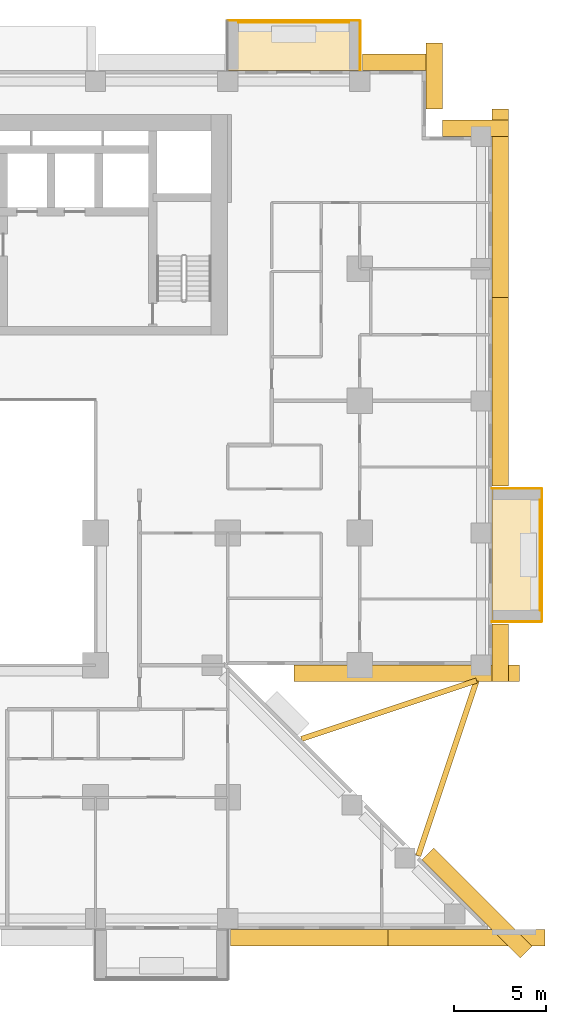
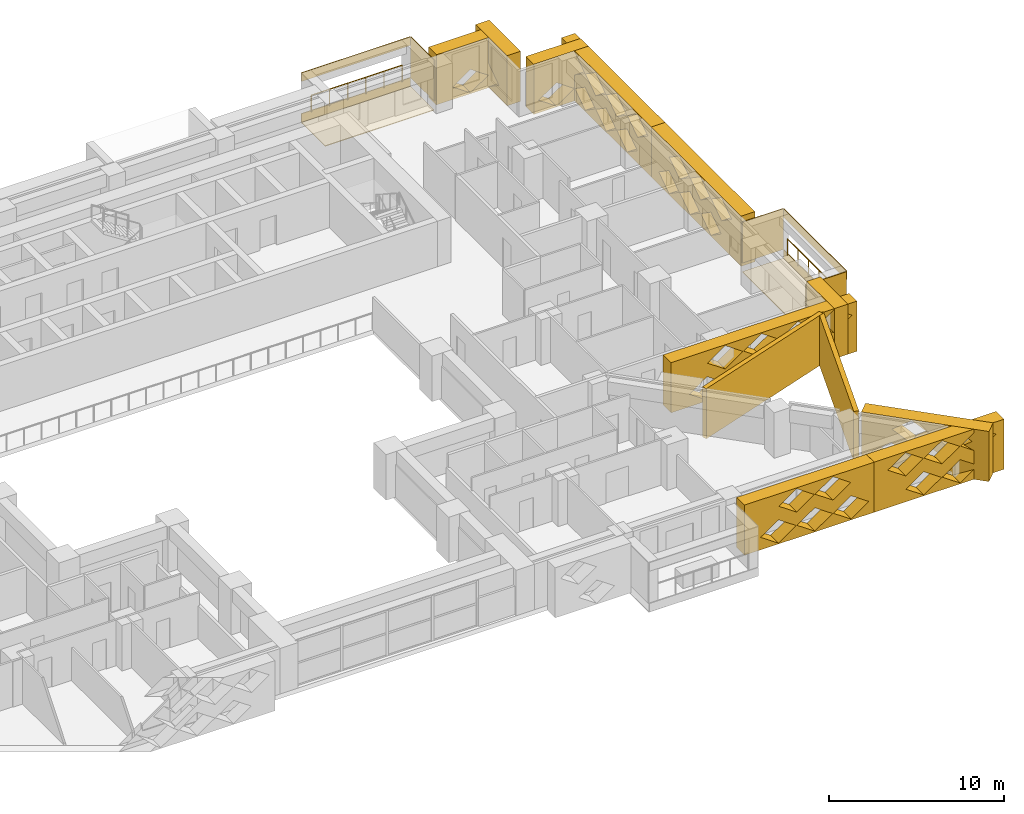
# One storey, part 16 of 16: 21 coverings, 2 railings.
"""IFC4 building model written with IfcOpenShell, lengths in metres."""

from ifc_helpers import new_model, si_unit, direction, frame, origin, origin_2d, place, context, subcontext, project, spatial, polyline, circle, outline, extrude, material, layer, layer_set, type_object, element, save


model = new_model("IFC4")

# Units and contexts
model_context = context("Model", 3, precision=1e-05, world=origin(), true_north=direction((0.0, 1.0)))
body_context = subcontext(model_context, "Body", "Model", "MODEL_VIEW")
ifc_project = project(units=[si_unit("LENGTHUNIT", "METRE"), si_unit("AREAUNIT", "SQUARE_METRE"), si_unit("VOLUMEUNIT", "CUBIC_METRE"), si_unit("PLANEANGLEUNIT", "RADIAN"), si_unit("MASSUNIT", "GRAM", prefix="KILO")], contexts=[model_context])

# Site, building, storey
site_placement = place(None, origin())
site = spatial("IfcSite", under=ifc_project, at=site_placement, CompositionType="ELEMENT")
building_placement = place(site_placement, origin())
building = spatial("IfcBuilding", under=site, at=building_placement, Name="Saffron Iwan Residences", CompositionType="ELEMENT")
storey_placement = place(building_placement, frame((0.0, 0.0, 44.5)))
storey = spatial("IfcBuildingStorey", under=building, at=storey_placement, Name="L10", CompositionType="ELEMENT", Elevation=44.5)

# Railings
ifc_material_1 = material(Name="Stainless steel 316", Category="steel")
railing_type = type_object("IfcRailingType", Name="BALCONY GUARD 1150", PredefinedType="GUARDRAIL", material=ifc_material_1)
railing_1_placement = place(storey_placement, frame((89.02490234375, 51.0, 0.0)))
element("IfcRailing", 1, at=railing_1_placement, inside=storey, type_object=railing_type, Name="Balcony guard L10 F2-0", PredefinedType="GUARDRAIL", context=body_context, shape_type="SweptSolid", body=[
    extrude(circle(Radius=0.02392578125, at=origin_2d()), frame((0.0, 0.0, 1.1259765625), z_axis=(0.0, 1.0, 0.0), x_axis=(-1.0, 0.0, 0.0)), (0.0, 0.0, 1.0), 6.0),
    extrude(circle(Radius=0.02099609375, at=origin_2d()), origin(), (0.0, 0.0, 1.0), 1.101806640625),
    extrude(circle(Radius=0.02099609375, at=origin_2d()), frame((0.0, 1.199951171875, 0.0)), (0.0, 0.0, 1.0), 1.101806640625),
    extrude(circle(Radius=0.02099609375, at=origin_2d()), frame((0.0, 2.39990234375, 0.0)), (0.0, 0.0, 1.0), 1.101806640625),
    extrude(circle(Radius=0.02099609375, at=origin_2d()), frame((0.0, 3.60009765625, 0.0)), (0.0, 0.0, 1.0), 1.101806640625),
    extrude(circle(Radius=0.02099609375, at=origin_2d()), frame((0.0, 4.800048828125, 0.0)), (0.0, 0.0, 1.0), 1.101806640625),
    extrude(circle(Radius=0.02099609375, at=origin_2d()), frame((0.0, 6.0, 0.0)), (0.0, 0.0, 1.0), 1.101806640625),
])
railing_2_placement = place(storey_placement, frame((78.60009765625, 83.02490234375, 0.0)))
element("IfcRailing", 2, at=railing_2_placement, inside=storey, type_object=railing_type, Name="Balcony guard L10 F5-0", PredefinedType="GUARDRAIL", context=body_context, shape_type="SweptSolid", body=[
    extrude(circle(Radius=0.02392578125, at=origin_2d()), frame((0.0, 0.0, 1.1259765625), z_axis=(-1.0, 0.0, 0.0), x_axis=(0.0, -1.0, 0.0)), (0.0, 0.0, 1.0), 6.0),
    extrude(circle(Radius=0.02099609375, at=origin_2d()), origin(), (0.0, 0.0, 1.0), 1.101806640625),
    extrude(circle(Radius=0.02099609375, at=origin_2d()), frame((-1.199951171875, 0.0, 0.0)), (0.0, 0.0, 1.0), 1.101806640625),
    extrude(circle(Radius=0.02099609375, at=origin_2d()), frame((-2.39990234375, 0.0, 0.0)), (0.0, 0.0, 1.0), 1.101806640625),
    extrude(circle(Radius=0.02099609375, at=origin_2d()), frame((-3.60009765625, 0.0, 0.0)), (0.0, 0.0, 1.0), 1.101806640625),
    extrude(circle(Radius=0.02099609375, at=origin_2d()), frame((-4.800048828125, 0.0, 0.0)), (0.0, 0.0, 1.0), 1.101806640625),
    extrude(circle(Radius=0.02099609375, at=origin_2d()), frame((-6.0, 0.0, 0.0)), (0.0, 0.0, 1.0), 1.101806640625),
])

# Coverings
ifc_material_2 = material(Name="Precast concrete C40/50 white painted", Category="concrete")
ifc_layer_1 = layer(ifc_material_2, 0.050048828125)
ifc_layer_set_1 = layer_set([ifc_layer_1], Name="Precast concrete C40/50 white painted")
covering_type_1 = type_object("IfcCoveringType", Name="FRAME SKIN PRECAST WHITE 50", PredefinedType="CLADDING", material=ifc_layer_set_1)
for number, where, name in (
    (3, (0.0, 0.0, -0.60009765625), "Frame skin slab edge L10 F2-0"),
    (4, (0.0, 0.0, 2.25), "Frame skin fascia L10 F2-0"),
):
    element("IfcCovering", number, at=place(storey_placement, frame(where)), inside=storey, type_object=covering_type_1, Name=name, PredefinedType="CLADDING", context=body_context, shape_type="SweptSolid", body=[
        extrude(outline(polyline([(89.14990234375, 50.39990234375), (89.14990234375, 57.60009765625), (89.10009765625, 57.60009765625), (89.10009765625, 50.39990234375), (89.14990234375, 50.39990234375)])), origin(), (0.0, 0.0, 1.0), 0.60009765625),
    ])
covering_1_placement = place(storey_placement, frame((0.0, 0.0, -0.64990234375)))
element("IfcCovering", 5, at=covering_1_placement, inside=storey, type_object=covering_type_1, Name="Frame skin soffit L10 F2-0", PredefinedType="CLADDING", context=body_context, shape_type="SweptSolid", body=[
    extrude(outline(polyline([(89.10009765625, 50.39990234375), (89.10009765625, 57.60009765625), (86.39990234375, 57.60009765625), (86.39990234375, 50.39990234375), (89.10009765625, 50.39990234375)])), origin(), (0.0, 0.0, 1.0), 0.0498046875),
])
covering_2_placement = place(storey_placement, origin())
element("IfcCovering", 6, at=covering_2_placement, inside=storey, type_object=covering_type_1, Name="Frame skin fin L10 F2-0a", PredefinedType="CLADDING", context=body_context, shape_type="SweptSolid", body=[
    extrude(outline(polyline([(89.10009765625, 50.35009765625), (89.10009765625, 50.39990234375), (86.39990234375, 50.39990234375), (86.39990234375, 50.35009765625), (89.10009765625, 50.35009765625)])), origin(), (0.0, 0.0, 1.0), 2.85009765625),
])
covering_3_placement = place(storey_placement, origin())
element("IfcCovering", 7, at=covering_3_placement, inside=storey, type_object=covering_type_1, Name="Frame skin fin L10 F2-0b", PredefinedType="CLADDING", context=body_context, shape_type="SweptSolid", body=[
    extrude(outline(polyline([(89.10009765625, 57.60009765625), (89.10009765625, 57.64990234375), (86.39990234375, 57.64990234375), (86.39990234375, 57.60009765625), (89.10009765625, 57.60009765625)])), origin(), (0.0, 0.0, 1.0), 2.85009765625),
])
for number, where, name in (
    (8, (0.0, 0.0, -0.60009765625), "Frame skin slab edge L10 F5-0"),
    (9, (0.0, 0.0, 2.25), "Frame skin fascia L10 F5-0"),
):
    element("IfcCovering", number, at=place(storey_placement, frame(where)), inside=storey, type_object=covering_type_1, Name=name, PredefinedType="CLADDING", context=body_context, shape_type="SweptSolid", body=[
        extrude(outline(polyline([(79.199951171875, 83.14990234375), (72.0, 83.14990234375), (72.0, 83.10009765625), (79.199951171875, 83.10009765625), (79.199951171875, 83.14990234375)])), origin(), (0.0, 0.0, 1.0), 0.60009765625),
    ])
covering_4_placement = place(storey_placement, frame((0.0, 0.0, -0.64990234375)))
element("IfcCovering", 10, at=covering_4_placement, inside=storey, type_object=covering_type_1, Name="Frame skin soffit L10 F5-0", PredefinedType="CLADDING", context=body_context, shape_type="SweptSolid", body=[
    extrude(outline(polyline([(79.199951171875, 83.10009765625), (72.0, 83.10009765625), (72.0, 80.39990234375), (79.199951171875, 80.39990234375), (79.199951171875, 83.10009765625)])), origin(), (0.0, 0.0, 1.0), 0.0498046875),
])
covering_5_placement = place(storey_placement, origin())
element("IfcCovering", 11, at=covering_5_placement, inside=storey, type_object=covering_type_1, Name="Frame skin fin L10 F5-0a", PredefinedType="CLADDING", context=body_context, shape_type="SweptSolid", body=[
    extrude(outline(polyline([(79.25, 83.10009765625), (79.199951171875, 83.10009765625), (79.199951171875, 80.39990234375), (79.25, 80.39990234375), (79.25, 83.10009765625)])), origin(), (0.0, 0.0, 1.0), 2.85009765625),
])
ifc_material_3 = material(Name="Precast concrete C40/50", Category="concrete")
covering_type_2 = type_object("IfcCoveringType", Name="OUTER SKIN LATTICE SCREEN", PredefinedType="CLADDING", material=ifc_material_3)
covering_6_placement = place(storey_placement, frame((87.939453125, 32.060546875, -0.320068359375), z_axis=(0.706971125213, 0.70724241114, 0.0), x_axis=(-0.70724241114, 0.706971125213, 0.0)))
element("IfcCovering", 12, at=covering_6_placement, inside=storey, type_object=covering_type_2, Name="OUTER SKIN lattice screen L10 F0.0", PredefinedType="CLADDING", context=body_context, shape_type="SweptSolid", body=[
    extrude(outline(polyline([(0.0, 0.0), (7.559326171875, 0.0), (7.559326171875, 3.5), (0.0, 3.5), (0.0, 0.0)]), holes=[polyline([(2.197021484375, 0.875), (3.377197265625, 0.06005859375), (4.55712890625, 0.875), (3.377197265625, 1.68994140625), (2.197021484375, 0.875)]), polyline([(4.59716796875, 0.875), (5.777099609375, 0.06005859375), (6.95703125, 0.875), (5.777099609375, 1.68994140625), (4.59716796875, 0.875)]), polyline([(0.9970703125, 2.625), (2.177001953125, 1.81005859375), (3.357177734375, 2.625), (2.177001953125, 3.43994140625), (0.9970703125, 2.625)]), polyline([(3.397216796875, 2.625), (4.5771484375, 1.81005859375), (5.757080078125, 2.625), (4.5771484375, 3.43994140625), (3.397216796875, 2.625)])]), origin(), (0.0, 0.0, 1.0), 0.89990234375),
])
covering_7_placement = place(storey_placement, frame((75.6171875, 48.0, -0.320068359375), z_axis=(0.0, -1.0, 0.0), x_axis=(1.0, 0.0, 0.0)))
element("IfcCovering", 13, at=covering_7_placement, inside=storey, type_object=covering_type_2, Name="OUTER SKIN lattice screen L10 F1.0", PredefinedType="CLADDING", context=body_context, shape_type="SweptSolid", body=[
    extrude(outline(polyline([(0.0, 0.0), (12.282958984375, 0.0), (12.282958984375, 3.5), (0.0, 3.5), (0.0, 0.0)]), holes=[polyline([(1.202880859375, 0.875), (2.3828125, 0.06005859375), (3.56298828125, 0.875), (2.3828125, 1.68994140625), (1.202880859375, 0.875)]), polyline([(3.602783203125, 0.875), (4.782958984375, 0.06005859375), (5.962890625, 0.875), (4.782958984375, 1.68994140625), (3.602783203125, 0.875)]), polyline([(6.0029296875, 0.875), (7.182861328125, 0.06005859375), (8.36279296875, 0.875), (7.182861328125, 1.68994140625), (6.0029296875, 0.875)]), polyline([(8.40283203125, 0.875), (9.5830078125, 0.06005859375), (10.762939453125, 0.875), (9.5830078125, 1.68994140625), (8.40283203125, 0.875)]), polyline([(2.40283203125, 2.625), (3.5830078125, 1.81005859375), (4.762939453125, 2.625), (3.5830078125, 3.43994140625), (2.40283203125, 2.625)]), polyline([(4.802978515625, 2.625), (5.98291015625, 1.81005859375), (7.162841796875, 2.625), (5.98291015625, 3.43994140625), (4.802978515625, 2.625)]), polyline([(7.202880859375, 2.625), (8.3828125, 1.81005859375), (9.56298828125, 2.625), (8.3828125, 3.43994140625), (7.202880859375, 2.625)]), polyline([(9.602783203125, 2.625), (10.782958984375, 1.81005859375), (11.962890625, 2.625), (10.782958984375, 3.43994140625), (9.602783203125, 2.625)])]), origin(), (0.0, 0.0, 1.0), 0.89990234375),
])
covering_8_placement = place(storey_placement, frame((86.39990234375, 47.10009765625, -0.320068359375), z_axis=(1.0, 0.0, 0.0), x_axis=(0.0, 1.0, 0.0)))
element("IfcCovering", 14, at=covering_8_placement, inside=storey, type_object=covering_type_2, Name="OUTER SKIN lattice screen L10 F2.0", PredefinedType="CLADDING", context=body_context, shape_type="SweptSolid", body=[
    extrude(outline(polyline([(0.0, 0.0), (3.14990234375, 0.0), (3.14990234375, 3.5), (0.0, 3.5), (0.0, 0.0)])), origin(), (0.0, 0.0, 1.0), 0.900146484375),
])
covering_9_placement = place(storey_placement, frame((86.39990234375, 57.75, -0.320068359375), z_axis=(1.0, 0.0, 0.0), x_axis=(0.0, 1.0, 0.0)))
element("IfcCovering", 15, at=covering_9_placement, inside=storey, type_object=covering_type_2, Name="OUTER SKIN lattice screen L10 F2.1", PredefinedType="CLADDING", context=body_context, shape_type="SweptSolid", body=[
    extrude(outline(polyline([(0.0, 0.0), (10.27490234375, 0.0), (10.27490234375, 3.5), (0.0, 3.5), (0.0, 0.0)]), holes=[polyline([(2.27001953125, 0.875), (3.449951171875, 0.06005859375), (4.6298828125, 0.875), (3.449951171875, 1.68994140625), (2.27001953125, 0.875)]), polyline([(4.669921875, 0.875), (5.85009765625, 0.06005859375), (7.030029296875, 0.875), (5.85009765625, 1.68994140625), (4.669921875, 0.875)]), polyline([(7.070068359375, 0.875), (8.25, 0.06005859375), (9.429931640625, 0.875), (8.25, 1.68994140625), (7.070068359375, 0.875)]), polyline([(1.070068359375, 2.625), (2.25, 1.81005859375), (3.429931640625, 2.625), (2.25, 3.43994140625), (1.070068359375, 2.625)]), polyline([(3.469970703125, 2.625), (4.64990234375, 1.81005859375), (5.830078125, 2.625), (4.64990234375, 3.43994140625), (3.469970703125, 2.625)]), polyline([(5.8701171875, 2.625), (7.050048828125, 1.81005859375), (8.22998046875, 2.625), (7.050048828125, 3.43994140625), (5.8701171875, 2.625)])]), origin(), (0.0, 0.0, 1.0), 0.900146484375),
])
covering_10_placement = place(storey_placement, frame((86.39990234375, 68.02490234375, -0.320068359375), z_axis=(1.0, 0.0, 0.0), x_axis=(0.0, 1.0, 0.0)))
element("IfcCovering", 16, at=covering_10_placement, inside=storey, type_object=covering_type_2, Name="OUTER SKIN lattice screen L10 F2.2", PredefinedType="CLADDING", context=body_context, shape_type="SweptSolid", body=[
    extrude(outline(polyline([(0.0, 0.0), (10.27490234375, 0.0), (10.27490234375, 3.5), (0.0, 3.5), (0.0, 0.0)]), holes=[polyline([(1.594970703125, 0.875), (2.77490234375, 0.06005859375), (3.955078125, 0.875), (2.77490234375, 1.68994140625), (1.594970703125, 0.875)]), polyline([(3.9951171875, 0.875), (5.175048828125, 0.06005859375), (6.35498046875, 0.875), (5.175048828125, 1.68994140625), (3.9951171875, 0.875)]), polyline([(6.39501953125, 0.875), (7.574951171875, 0.06005859375), (8.7548828125, 0.875), (7.574951171875, 1.68994140625), (6.39501953125, 0.875)]), polyline([(0.39501953125, 2.625), (1.574951171875, 1.81005859375), (2.7548828125, 2.625), (1.574951171875, 3.43994140625), (0.39501953125, 2.625)]), polyline([(2.794921875, 2.625), (3.97509765625, 1.81005859375), (5.155029296875, 2.625), (3.97509765625, 3.43994140625), (2.794921875, 2.625)]), polyline([(5.195068359375, 2.625), (6.375, 1.81005859375), (7.554931640625, 2.625), (6.375, 3.43994140625), (5.195068359375, 2.625)]), polyline([(7.594970703125, 2.625), (8.77490234375, 1.81005859375), (9.955078125, 2.625), (8.77490234375, 3.43994140625), (7.594970703125, 2.625)])]), origin(), (0.0, 0.0, 1.0), 0.900146484375),
])
for number, where, z_axis, x_axis, name in (
    (17, (87.300048828125, 76.800048828125, -0.320068359375), (0.0, 1.0, 0.0), (-1.0, 0.0, 0.0), "OUTER SKIN lattice screen L10 F3.0"),
    (18, (82.800048828125, 78.300048828125, -0.320068359375), (1.0, 0.0, 0.0), (0.0, 1.0, 0.0), "OUTER SKIN lattice screen L10 F4.0"),
):
    element("IfcCovering", number, at=place(storey_placement, frame(where, z_axis=z_axis, x_axis=x_axis)), inside=storey, type_object=covering_type_2, Name=name, PredefinedType="CLADDING", context=body_context, shape_type="SweptSolid", body=[
        extrude(outline(polyline([(0.0, 0.0), (3.60009765625, 0.0), (3.60009765625, 3.5), (0.0, 3.5), (0.0, 0.0)]), holes=[polyline([(0.919921875, 0.875), (2.10009765625, 0.06005859375), (3.280029296875, 0.875), (2.10009765625, 1.68994140625), (0.919921875, 0.875)])]), origin(), (0.0, 0.0, 1.0), 0.89990234375),
    ])
covering_11_placement = place(storey_placement, frame((83.699951171875, 80.39990234375, -0.320068359375), z_axis=(0.0, 1.0, 0.0), x_axis=(-1.0, 0.0, 0.0)))
element("IfcCovering", 19, at=covering_11_placement, inside=storey, type_object=covering_type_2, Name="OUTER SKIN lattice screen L10 F5.0", PredefinedType="CLADDING", context=body_context, shape_type="SweptSolid", body=[
    extrude(outline(polyline([(0.0, 0.0), (4.35009765625, 0.0), (4.35009765625, 3.5), (0.0, 3.5), (0.0, 0.0)]), holes=[polyline([(0.919921875, 0.875), (2.10009765625, 0.06005859375), (3.280029296875, 0.875), (2.10009765625, 1.68994140625), (0.919921875, 0.875)])]), origin(), (0.0, 0.0, 1.0), 0.900146484375),
])
covering_12_placement = place(storey_placement, frame((72.14990234375, 33.60009765625, -0.320068359375), z_axis=(0.0, -1.0, 0.0), x_axis=(1.0, 0.0, 0.0)))
element("IfcCovering", 20, at=covering_12_placement, inside=storey, type_object=covering_type_2, Name="OUTER SKIN lattice screen L10 F11.3", PredefinedType="CLADDING", context=body_context, shape_type="SweptSolid", body=[
    extrude(outline(polyline([(0.0, 0.0), (8.573486328125, 0.0), (8.573486328125, 3.5), (0.0, 3.5), (0.0, 0.0)]), holes=[polyline([(1.070068359375, 0.875), (2.25, 0.06005859375), (3.429931640625, 0.875), (2.25, 1.68994140625), (1.070068359375, 0.875)]), polyline([(3.469970703125, 0.875), (4.64990234375, 0.06005859375), (5.830078125, 0.875), (4.64990234375, 1.68994140625), (3.469970703125, 0.875)]), polyline([(5.8701171875, 0.875), (7.050048828125, 0.06005859375), (8.22998046875, 0.875), (7.050048828125, 1.68994140625), (5.8701171875, 0.875)]), polyline([(2.27001953125, 2.625), (3.449951171875, 1.81005859375), (4.6298828125, 2.625), (3.449951171875, 3.43994140625), (2.27001953125, 2.625)]), polyline([(4.669921875, 2.625), (5.85009765625, 1.81005859375), (7.030029296875, 2.625), (5.85009765625, 3.43994140625), (4.669921875, 2.625)])]), origin(), (0.0, 0.0, 1.0), 0.900146484375),
])
covering_13_placement = place(storey_placement, frame((80.7236328125, 33.60009765625, -0.320068359375), z_axis=(0.0, -1.0, 0.0), x_axis=(1.0, 0.0, 0.0)))
element("IfcCovering", 21, at=covering_13_placement, inside=storey, type_object=covering_type_2, Name="OUTER SKIN lattice screen L10 F11.4", PredefinedType="CLADDING", context=body_context, shape_type="SweptSolid", body=[
    extrude(outline(polyline([(0.0, 0.0), (8.573486328125, 0.0), (8.573486328125, 3.5), (0.0, 3.5), (0.0, 0.0)]), holes=[polyline([(2.096435546875, 0.875), (3.2763671875, 0.06005859375), (4.456298828125, 0.875), (3.2763671875, 1.68994140625), (2.096435546875, 0.875)]), polyline([(4.49658203125, 0.875), (5.676513671875, 0.06005859375), (6.8564453125, 0.875), (5.676513671875, 1.68994140625), (4.49658203125, 0.875)]), polyline([(0.896484375, 2.625), (2.076416015625, 1.81005859375), (3.25634765625, 2.625), (2.076416015625, 3.43994140625), (0.896484375, 2.625)]), polyline([(3.29638671875, 2.625), (4.476318359375, 1.81005859375), (5.656494140625, 2.625), (4.476318359375, 3.43994140625), (3.29638671875, 2.625)]), polyline([(5.696533203125, 2.625), (6.87646484375, 1.81005859375), (8.056396484375, 2.625), (6.87646484375, 3.43994140625), (5.696533203125, 2.625)])]), origin(), (0.0, 0.0, 1.0), 0.900146484375),
])
ifc_layer_2 = layer(ifc_material_2, 0.300048828125)
ifc_layer_set_2 = layer_set([ifc_layer_2], Name="Precast concrete C40/50 white painted")
covering_type_3 = type_object("IfcCoveringType", Name="PROW NOSE BLADE PRECAST WHITE", PredefinedType="CLADDING", material=ifc_layer_set_2)
covering_14_placement = place(storey_placement, frame((0.0, 0.0, -0.320068359375)))
element("IfcCovering", 22, at=covering_14_placement, inside=storey, type_object=covering_type_3, Name="Prow nose blade L10 a", PredefinedType="CLADDING", context=body_context, shape_type="SweptSolid", body=[
    extrude(outline(polyline([(82.5244140625, 37.570556640625), (85.706298828125, 47.116455078125), (85.421630859375, 47.21142578125), (82.23974609375, 37.66552734375), (82.5244140625, 37.570556640625)])), origin(), (0.0, 0.0, 1.0), 3.5),
])
covering_15_placement = place(storey_placement, frame((0.0, 0.0, -0.320068359375)))
element("IfcCovering", 23, at=covering_15_placement, inside=storey, type_object=covering_type_3, Name="Prow nose blade L10 b", PredefinedType="CLADDING", context=body_context, shape_type="SweptSolid", body=[
    extrude(outline(polyline([(76.0654296875, 43.839599609375), (85.611328125, 47.021728515625), (85.5166015625, 47.306396484375), (75.970703125, 44.124267578125), (76.0654296875, 43.839599609375)])), origin(), (0.0, 0.0, 1.0), 3.5),
])

save(model, "model.ifc")
